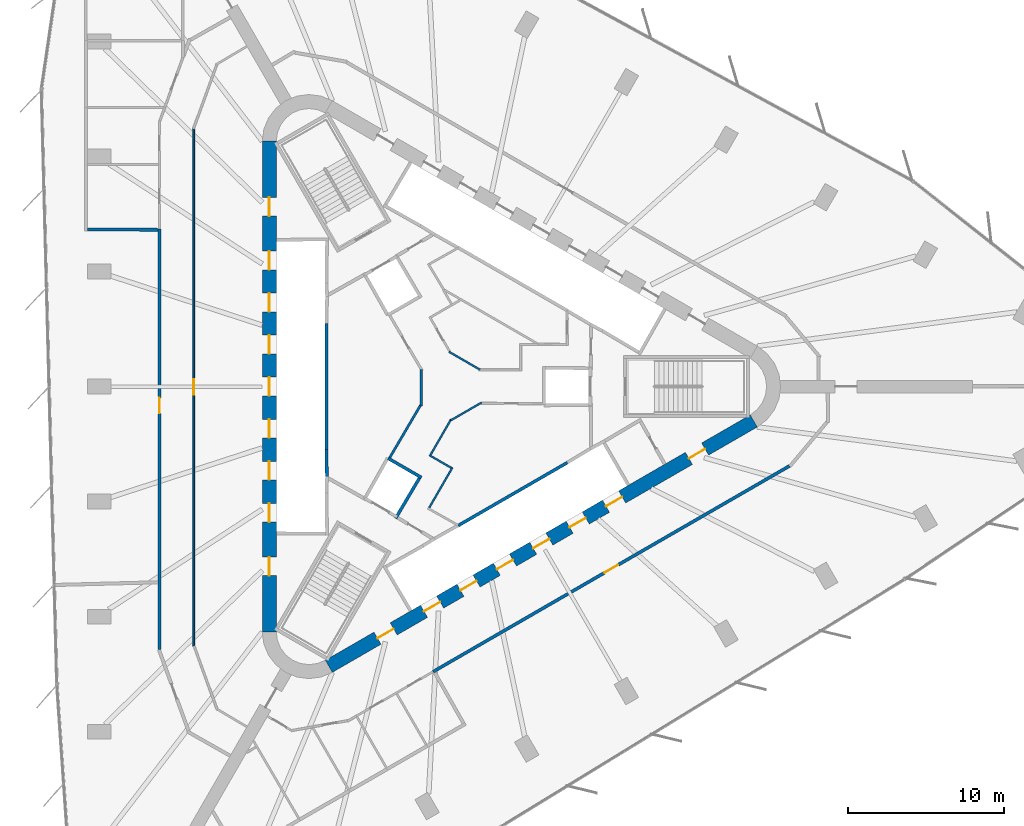
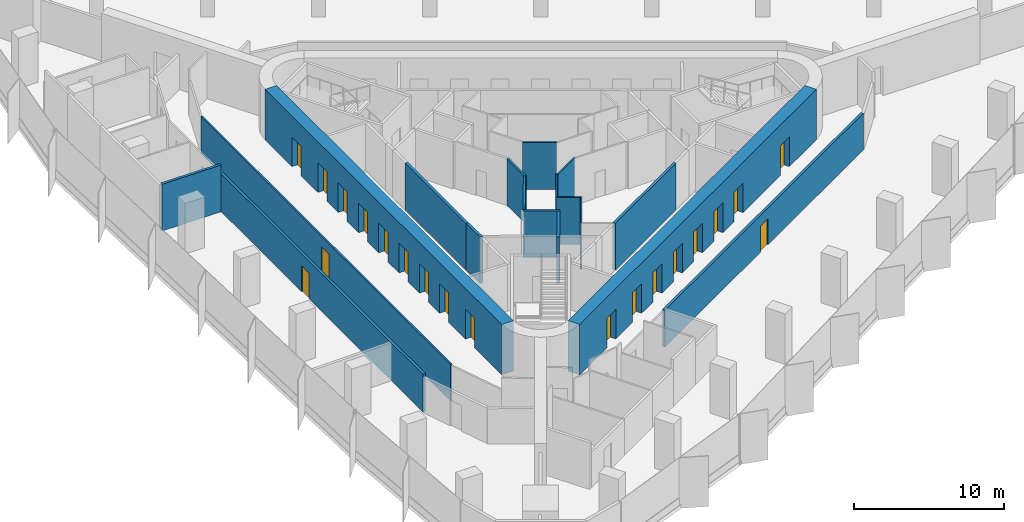
# One storey, part 9 of 14: 20 doors, 18 walls, 20 openings.
"""IFC4 building model written with IfcOpenShell, lengths in metres."""

import ifcopenshell
import ifcopenshell.guid

model = None  # the IFC model being written
_history = None  # IfcOwnerHistory: only IFC2X3 demands one
_inside = {}  # id of a spatial element -> (the spatial element, [elements in it])
_under = {}  # id of a project, library or spatial element -> (it, [spatial elements below it])
_declared = {}  # id of a project -> (the project, [libraries it declares])
_typed = {}  # id of a type object -> (the type object, [elements of that type])
_made_of = {}  # id of a material, layer set ... -> (it, [elements and type objects made of it])


def new_model(schema):
    """Start an empty IFC model of exactly this schema.

    Asked for "IFC4X3", IfcOpenShell would pick the latest addendum, in which some entities
    have other attributes; the version numbers below select the first issue.
    IFC2X3 requires an IfcOwnerHistory on every rooted entity: one is made here for all.
    """
    global model, _history
    if schema == "IFC4X3":
        model = ifcopenshell.file(schema_version=(4, 3, 0, 0))
    else:
        model = ifcopenshell.file(schema=schema)
    _inside.clear()
    _under.clear()
    _declared.clear()
    _typed.clear()
    _made_of.clear()
    _history = None
    if model.schema == "IFC2X3":
        org = make("IfcOrganization", Name="unknown")
        user = make(
            "IfcPersonAndOrganization",
            ThePerson=make("IfcPerson", FamilyName="unknown"),
            TheOrganization=org,
        )
        app = make(
            "IfcApplication",
            ApplicationDeveloper=org,
            Version="unknown",
            ApplicationFullName="unknown",
            ApplicationIdentifier="unknown",
        )
        _history = make(
            "IfcOwnerHistory",
            OwningUser=user,
            OwningApplication=app,
            ChangeAction="ADDED",
            CreationDate=0,
        )
    return model


def make(cls, **values):
    """One entity of the class cls with the attributes given. An attribute that is None is left unset."""
    return model.create_entity(
        cls, **{name: value for name, value in values.items() if value is not None}
    )


def rooted(cls, **values):
    """An entity with a GlobalId (a new one), such as an element, a storey or a relation."""
    return make(cls, GlobalId=ifcopenshell.guid.new(), OwnerHistory=_history, **values)


def si_unit(unit_type, name, prefix=None):
    """IfcSIUnit, for example si_unit("LENGTHUNIT", "METRE", prefix="MILLI")."""
    return make("IfcSIUnit", UnitType=unit_type, Prefix=prefix, Name=name)


def assignment(units):
    """IfcUnitAssignment: the units of a project."""
    return None if units is None else make("IfcUnitAssignment", Units=units)


def point(xyz):
    """IfcCartesianPoint."""
    return None if xyz is None else make("IfcCartesianPoint", Coordinates=xyz)


def direction(xyz):
    """IfcDirection."""
    return None if xyz is None else make("IfcDirection", DirectionRatios=xyz)


def frame(location, z_axis=None, x_axis=None):
    """IfcAxis2Placement3D, a coordinate frame: its origin and axes. An axis left out is left unset."""
    return make(
        "IfcAxis2Placement3D",
        Location=point(location),
        Axis=direction(z_axis),
        RefDirection=direction(x_axis),
    )


def frame_2d(location, x_axis=None):
    """IfcAxis2Placement2D, a coordinate frame in the plane: its origin and x axis."""
    return make(
        "IfcAxis2Placement2D", Location=point(location), RefDirection=direction(x_axis)
    )


def origin():
    """The frame at (0, 0, 0) with its axes left unset."""
    return frame((0.0, 0.0, 0.0))


def place(relative_to, where):
    """IfcLocalPlacement: puts the frame where relative to a parent placement (None: the world)."""
    return make(
        "IfcLocalPlacement", PlacementRelTo=relative_to, RelativePlacement=where
    )


def context(
    kind, dimensions, precision=None, world=None, true_north=None, identifier=None
):
    """IfcGeometricRepresentationContext, for example the 3D "Model" context."""
    return make(
        "IfcGeometricRepresentationContext",
        ContextIdentifier=identifier,
        ContextType=kind,
        CoordinateSpaceDimension=dimensions,
        Precision=precision,
        WorldCoordinateSystem=world,
        TrueNorth=true_north,
    )


def subcontext(parent, identifier, kind, view, scale=None):
    """IfcGeometricRepresentationSubContext, for example "Body" below "Model"."""
    return make(
        "IfcGeometricRepresentationSubContext",
        ContextIdentifier=identifier,
        ContextType=kind,
        ParentContext=parent,
        TargetScale=scale,
        TargetView=view,
    )


def project(units=None, contexts=None):
    """IfcProject with its units and contexts."""
    return rooted(
        "IfcProject",
        Name="project",
        RepresentationContexts=contexts,
        UnitsInContext=assignment(units),
    )


def spatial(cls, under=None, at=None, **own):
    """A site, building, storey or space (cls), placed at a placement, below another one or the project."""
    s = rooted(cls, ObjectPlacement=at, **own)
    if under is not None:
        _under.setdefault(under.id(), (under, []))[1].append(s)
    return s


def profile(cls, at=None, kind="AREA", **sizes):
    """A parametric profile (cls). Its sizes go by their IFC names, for example OverallWidth=200.0."""
    return make(cls, ProfileType=kind, Position=at, **sizes)


def rectangle(**sizes):
    """IfcRectangleProfileDef."""
    return profile("IfcRectangleProfileDef", **sizes)


def extrude(swept, where, along, depth):
    """IfcExtrudedAreaSolid: the profile swept, set in the frame where, extruded along a direction by depth."""
    return make(
        "IfcExtrudedAreaSolid",
        SweptArea=swept,
        Position=where,
        ExtrudedDirection=direction(along),
        Depth=depth,
    )


def shape(context_of_items, identifier, shape_type, items):
    """IfcShapeRepresentation: the items that make up one representation, for example the "Body"."""
    return make(
        "IfcShapeRepresentation",
        ContextOfItems=context_of_items,
        RepresentationIdentifier=identifier,
        RepresentationType=shape_type,
        Items=items,
    )


def material(Name=None, Category=None):
    """IfcMaterial."""
    return make("IfcMaterial", Name=Name, Category=Category)


def layer(
    of_material, thickness, ventilated=None, Name=None, Category=None, Priority=None
):
    """IfcMaterialLayer: one layer of a wall or slab, of a material (None: an air gap)."""
    return make(
        "IfcMaterialLayer",
        Material=of_material,
        LayerThickness=thickness,
        IsVentilated=ventilated,
        Name=Name,
        Category=Category,
        Priority=Priority,
    )


def layer_set(layers, Name=None):
    """IfcMaterialLayerSet."""
    return make("IfcMaterialLayerSet", MaterialLayers=layers, LayerSetName=Name)


def made_of(thing, what):
    """Note that an element or type object is made of a material, layer set ...; save() writes the relation."""
    if what is not None:
        _made_of.setdefault(what.id(), (what, []))[1].append(thing)
    return thing


def type_object(cls, material=None, **own):
    """A type object (cls), such as IfcWallType, which elements share."""
    return made_of(rooted(cls, **own), material)


def element(
    cls,
    number,
    at=None,
    inside=None,
    cuts=None,
    type_object=None,
    material=None,
    context=None,
    identifier="Body",
    shape_type=None,
    held_by="IfcProductDefinitionShape",
    body=None,
    shapes=None,
    **own,
):
    """One element of the class cls, such as IfcWall. Its Tag is "e" and its number.

    at: its placement. inside: the storey or other place that contains it. cuts: it is an
    opening in that element (IfcRelVoidsElement). A single representation is given by context,
    identifier, shape_type and body (its items); several are given by shapes. held_by: the class
    of the entity that holds the representations. save() writes the other relations.
    """
    e = rooted(cls, Tag="e%d" % number, ObjectPlacement=at, **own)
    if body is not None:
        shapes = [shape(context, identifier, shape_type, body)]
    if shapes is not None:
        e.Representation = make(held_by, Representations=shapes)
    if inside is not None:
        _inside.setdefault(inside.id(), (inside, []))[1].append(e)
    if cuts is not None:
        rooted(
            "IfcRelVoidsElement", RelatingBuildingElement=cuts, RelatedOpeningElement=e
        )
    if type_object is not None:
        _typed.setdefault(type_object.id(), (type_object, []))[1].append(e)
    return made_of(e, material)


def fill(opening, filler):
    """IfcRelFillsElement: the door or window that sits in an opening."""
    return rooted(
        "IfcRelFillsElement",
        RelatingOpeningElement=opening,
        RelatedBuildingElement=filler,
    )


def aggregate(whole, parts):
    """IfcRelAggregates: a whole, such as a stair, and the parts it consists of."""
    return rooted("IfcRelAggregates", RelatingObject=whole, RelatedObjects=parts)


def save(model, path):
    """Write the relations noted so far, then the file.

    IfcRelAggregates (storeys below a building ...), IfcRelContainedInSpatialStructure (elements
    in a storey), IfcRelDefinesByType, IfcRelAssociatesMaterial and IfcRelDeclares: one each for
    every whole, place, type object, material and project.
    """
    for whole, parts in _under.values():
        aggregate(whole, parts)
    for where, things in _inside.values():
        rooted(
            "IfcRelContainedInSpatialStructure",
            RelatedElements=things,
            RelatingStructure=where,
        )
    for kind, things in _typed.values():
        rooted("IfcRelDefinesByType", RelatedObjects=things, RelatingType=kind)
    for what, things in _made_of.values():
        rooted("IfcRelAssociatesMaterial", RelatedObjects=things, RelatingMaterial=what)
    for by, libraries in _declared.values():
        rooted("IfcRelDeclares", RelatingContext=by, RelatedDefinitions=libraries)
    model.write(path)


model = new_model("IFC4")

# Units and contexts
model_context = context("Model", 3, precision=1e-05, world=origin(), true_north=direction((0.0, 1.0)))
body_context = subcontext(model_context, "Body", "Model", "MODEL_VIEW")
ifc_project = project(units=[si_unit("LENGTHUNIT", "METRE"), si_unit("AREAUNIT", "SQUARE_METRE"), si_unit("VOLUMEUNIT", "CUBIC_METRE"), si_unit("PLANEANGLEUNIT", "RADIAN"), si_unit("MASSUNIT", "GRAM", prefix="KILO")], contexts=[model_context])

# Site, building, storey
site_placement = place(None, origin())
site = spatial("IfcSite", under=ifc_project, at=site_placement, CompositionType="ELEMENT")
building_placement = place(site_placement, origin())
building = spatial("IfcBuilding", under=site, at=building_placement, Name="Tanit Gate Tower", CompositionType="ELEMENT")
storey_placement = place(building_placement, frame((0.0, 0.0, 143.89990234375)))
storey = spatial("IfcBuildingStorey", under=building, at=storey_placement, Name="L31", CompositionType="ELEMENT", Elevation=143.89990234375)

# Wall, openings, doors
ifc_material_1 = material(Name="Concrete C60/75", Category="concrete")
ifc_layer_1 = layer(ifc_material_1, 0.89990234375)
ifc_layer_set_1 = layer_set([ifc_layer_1], Name="CORE WALL 900 C60/75")
wall_type_1 = type_object("IfcWallType", Name="CORE WALL 900 C60/75", PredefinedType="SHEAR", material=ifc_layer_set_1)
wall_1_placement = place(storey_placement, frame((-11.64990234375, 15.76171875, 0.0), z_axis=(0.0, 0.0, 1.0), x_axis=(0.0, -1.0, 0.0)))
wall_1 = element("IfcWall", 1, at=wall_1_placement, inside=storey, type_object=wall_type_1, Name="CORE WALL", PredefinedType="SHEAR", context=body_context, shape_type="SweptSolid", body=[
    extrude(rectangle(XDim=31.5234375, YDim=0.89990234375, at=frame_2d((15.76171875, 0.0))), origin(), (0.0, 0.0, 1.0), 4.10009765625),
])
opening_1_placement = place(wall_1_placement, frame((7.061767578125, 0.0, 0.0)))
opening_1 = element("IfcOpeningElement", 2, at=opening_1_placement, cuts=wall_1, Name="Opening LDLL1-S08", PredefinedType="OPENING", context=body_context, shape_type="SweptSolid", body=[
    extrude(rectangle(XDim=1.199951171875, YDim=2.39990234375, at=frame_2d((0.60009765625, 1.199951171875))), frame((0.0, 0.4599609375, 0.0), z_axis=(0.0, -1.0, 0.0), x_axis=(1.0, 0.0, 0.0)), (0.0, 0.0, 1.0), 0.919921875),
])
opening_2_placement = place(wall_1_placement, frame((9.76171875, 0.0, 0.0)))
opening_2 = element("IfcOpeningElement", 3, at=opening_2_placement, cuts=wall_1, Name="Opening LDLL2-S08", PredefinedType="OPENING", context=body_context, shape_type="SweptSolid", body=[
    extrude(rectangle(XDim=1.199951171875, YDim=2.39990234375, at=frame_2d((0.60009765625, 1.199951171875))), frame((0.0, 0.4599609375, 0.0), z_axis=(0.0, -1.0, 0.0), x_axis=(1.0, 0.0, 0.0)), (0.0, 0.0, 1.0), 0.919921875),
])
opening_3_placement = place(wall_1_placement, frame((12.461669921875, 0.0, 0.0)))
opening_3 = element("IfcOpeningElement", 4, at=opening_3_placement, cuts=wall_1, Name="Opening LDLL3-S08", PredefinedType="OPENING", context=body_context, shape_type="SweptSolid", body=[
    extrude(rectangle(XDim=1.199951171875, YDim=2.39990234375, at=frame_2d((0.60009765625, 1.199951171875))), frame((0.0, 0.4599609375, 0.0), z_axis=(0.0, -1.0, 0.0), x_axis=(1.0, 0.0, 0.0)), (0.0, 0.0, 1.0), 0.919921875),
])
opening_4_placement = place(wall_1_placement, frame((15.16162109375, 0.0, 0.0)))
opening_4 = element("IfcOpeningElement", 5, at=opening_4_placement, cuts=wall_1, Name="Opening LDLL4-S08", PredefinedType="OPENING", context=body_context, shape_type="SweptSolid", body=[
    extrude(rectangle(XDim=1.199951171875, YDim=2.39990234375, at=frame_2d((0.60009765625, 1.199951171875))), frame((0.0, 0.4599609375, 0.0), z_axis=(0.0, -1.0, 0.0), x_axis=(1.0, 0.0, 0.0)), (0.0, 0.0, 1.0), 0.919921875),
])
opening_5_placement = place(wall_1_placement, frame((17.86181640625, 0.0, 0.0)))
opening_5 = element("IfcOpeningElement", 6, at=opening_5_placement, cuts=wall_1, Name="Opening LDLL5-S08", PredefinedType="OPENING", context=body_context, shape_type="SweptSolid", body=[
    extrude(rectangle(XDim=1.199951171875, YDim=2.39990234375, at=frame_2d((0.60009765625, 1.199951171875))), frame((0.0, 0.4599609375, 0.0), z_axis=(0.0, -1.0, 0.0), x_axis=(1.0, 0.0, 0.0)), (0.0, 0.0, 1.0), 0.919921875),
])
opening_6_placement = place(wall_1_placement, frame((20.561767578125, 0.0, 0.0)))
opening_6 = element("IfcOpeningElement", 7, at=opening_6_placement, cuts=wall_1, Name="Opening LDLL6-S08", PredefinedType="OPENING", context=body_context, shape_type="SweptSolid", body=[
    extrude(rectangle(XDim=1.199951171875, YDim=2.39990234375, at=frame_2d((0.60009765625, 1.199951171875))), frame((0.0, 0.4599609375, 0.0), z_axis=(0.0, -1.0, 0.0), x_axis=(1.0, 0.0, 0.0)), (0.0, 0.0, 1.0), 0.919921875),
])
opening_7_placement = place(wall_1_placement, frame((23.26171875, 0.0, 0.0)))
opening_7 = element("IfcOpeningElement", 8, at=opening_7_placement, cuts=wall_1, Name="Opening LDLL7-S08", PredefinedType="OPENING", context=body_context, shape_type="SweptSolid", body=[
    extrude(rectangle(XDim=1.199951171875, YDim=2.39990234375, at=frame_2d((0.60009765625, 1.199951171875))), frame((0.0, 0.4599609375, 0.0), z_axis=(0.0, -1.0, 0.0), x_axis=(1.0, 0.0, 0.0)), (0.0, 0.0, 1.0), 0.919921875),
])
opening_8_placement = place(wall_1_placement, frame((3.61181640625, 0.0, 0.0)))
opening_8 = element("IfcOpeningElement", 9, at=opening_8_placement, cuts=wall_1, Name="Opening F12-S08-FL2", PredefinedType="OPENING", context=body_context, shape_type="SweptSolid", body=[
    extrude(rectangle(XDim=1.199951171875, YDim=2.39990234375, at=frame_2d((0.60009765625, 1.199951171875))), frame((0.0, 0.4599609375, 0.0), z_axis=(0.0, -1.0, 0.0), x_axis=(1.0, 0.0, 0.0)), (0.0, 0.0, 1.0), 0.919921875),
])
opening_9_placement = place(wall_1_placement, frame((26.711669921875, 0.0, 0.0)))
opening_9 = element("IfcOpeningElement", 10, at=opening_9_placement, cuts=wall_1, Name="Opening F12-S08-S3", PredefinedType="OPENING", context=body_context, shape_type="SweptSolid", body=[
    extrude(rectangle(XDim=1.199951171875, YDim=2.39990234375, at=frame_2d((0.60009765625, 1.199951171875))), frame((0.0, 0.4599609375, 0.0), z_axis=(0.0, -1.0, 0.0), x_axis=(1.0, 0.0, 0.0)), (0.0, 0.0, 1.0), 0.919921875),
])
ifc_material_2 = material(Name="Fire-rated steel door leaf", Category="steel")
door_type_1 = type_object("IfcDoorType", Name="INT-DOOR-FIRE-LOBBY-1200", OperationType="NOTDEFINED", PredefinedType="USERDEFINED", material=ifc_material_2)
door_1_placement = place(opening_8_placement, origin())
door_1 = element("IfcDoor", 11, at=door_1_placement, inside=storey, type_object=door_type_1, Name="Door F12-S08-FL2", ObjectType="FIRE DOOR", OperationType="SINGLE_SWING_LEFT", OverallHeight=2.39990234375, OverallWidth=1.199951171875, PredefinedType="USERDEFINED", context=body_context, shape_type="SweptSolid", body=[
    extrude(rectangle(XDim=1.199951171875, YDim=2.39990234375, at=frame_2d((0.60009765625, 1.199951171875))), frame((0.0, 0.02490234375, 0.0), z_axis=(0.0, -1.0, 0.0), x_axis=(1.0, 0.0, 0.0)), (0.0, 0.0, 1.0), 0.050048828125),
])
fill(opening_8, door_1)
door_2_placement = place(opening_9_placement, origin())
door_2 = element("IfcDoor", 12, at=door_2_placement, inside=storey, type_object=door_type_1, Name="Door F12-S08-S3", ObjectType="FIRE DOOR", OperationType="SINGLE_SWING_RIGHT", OverallHeight=2.39990234375, OverallWidth=1.199951171875, PredefinedType="USERDEFINED", context=body_context, shape_type="SweptSolid", body=[
    extrude(rectangle(XDim=1.199951171875, YDim=2.39990234375, at=frame_2d((0.60009765625, 1.199951171875))), frame((0.0, 0.02490234375, 0.0), z_axis=(0.0, -1.0, 0.0), x_axis=(1.0, 0.0, 0.0)), (0.0, 0.0, 1.0), 0.050048828125),
])
fill(opening_9, door_2)
ifc_material_3 = material(Name="Stainless steel sliding door leaf", Category="steel")
door_type_2 = type_object("IfcDoorType", Name="INT-DOOR-LANDING-1200", OperationType="NOTDEFINED", PredefinedType="USERDEFINED", material=ifc_material_3)
door_3_placement = place(opening_1_placement, origin())
door_3 = element("IfcDoor", 13, at=door_3_placement, inside=storey, type_object=door_type_2, Name="Door LDLL1-S08", ObjectType="LANDING DOOR", OperationType="SLIDING_TO_LEFT", OverallHeight=2.39990234375, OverallWidth=1.199951171875, PredefinedType="USERDEFINED", context=body_context, shape_type="SweptSolid", body=[
    extrude(rectangle(XDim=1.199951171875, YDim=2.39990234375, at=frame_2d((0.60009765625, 1.199951171875))), frame((0.0, 0.02490234375, 0.0), z_axis=(0.0, -1.0, 0.0), x_axis=(1.0, 0.0, 0.0)), (0.0, 0.0, 1.0), 0.050048828125),
])
fill(opening_1, door_3)
door_4_placement = place(opening_2_placement, origin())
door_4 = element("IfcDoor", 14, at=door_4_placement, inside=storey, type_object=door_type_2, Name="Door LDLL2-S08", ObjectType="LANDING DOOR", OperationType="SLIDING_TO_LEFT", OverallHeight=2.39990234375, OverallWidth=1.199951171875, PredefinedType="USERDEFINED", context=body_context, shape_type="SweptSolid", body=[
    extrude(rectangle(XDim=1.199951171875, YDim=2.39990234375, at=frame_2d((0.60009765625, 1.199951171875))), frame((0.0, 0.02490234375, 0.0), z_axis=(0.0, -1.0, 0.0), x_axis=(1.0, 0.0, 0.0)), (0.0, 0.0, 1.0), 0.050048828125),
])
fill(opening_2, door_4)
door_5_placement = place(opening_3_placement, origin())
door_5 = element("IfcDoor", 15, at=door_5_placement, inside=storey, type_object=door_type_2, Name="Door LDLL3-S08", ObjectType="LANDING DOOR", OperationType="SLIDING_TO_LEFT", OverallHeight=2.39990234375, OverallWidth=1.199951171875, PredefinedType="USERDEFINED", context=body_context, shape_type="SweptSolid", body=[
    extrude(rectangle(XDim=1.199951171875, YDim=2.39990234375, at=frame_2d((0.60009765625, 1.199951171875))), frame((0.0, 0.02490234375, 0.0), z_axis=(0.0, -1.0, 0.0), x_axis=(1.0, 0.0, 0.0)), (0.0, 0.0, 1.0), 0.050048828125),
])
fill(opening_3, door_5)
door_6_placement = place(opening_4_placement, origin())
door_6 = element("IfcDoor", 16, at=door_6_placement, inside=storey, type_object=door_type_2, Name="Door LDLL4-S08", ObjectType="LANDING DOOR", OperationType="SLIDING_TO_LEFT", OverallHeight=2.39990234375, OverallWidth=1.199951171875, PredefinedType="USERDEFINED", context=body_context, shape_type="SweptSolid", body=[
    extrude(rectangle(XDim=1.199951171875, YDim=2.39990234375, at=frame_2d((0.60009765625, 1.199951171875))), frame((0.0, 0.02490234375, 0.0), z_axis=(0.0, -1.0, 0.0), x_axis=(1.0, 0.0, 0.0)), (0.0, 0.0, 1.0), 0.050048828125),
])
fill(opening_4, door_6)
door_7_placement = place(opening_5_placement, origin())
door_7 = element("IfcDoor", 17, at=door_7_placement, inside=storey, type_object=door_type_2, Name="Door LDLL5-S08", ObjectType="LANDING DOOR", OperationType="SLIDING_TO_LEFT", OverallHeight=2.39990234375, OverallWidth=1.199951171875, PredefinedType="USERDEFINED", context=body_context, shape_type="SweptSolid", body=[
    extrude(rectangle(XDim=1.199951171875, YDim=2.39990234375, at=frame_2d((0.60009765625, 1.199951171875))), frame((0.0, 0.02490234375, 0.0), z_axis=(0.0, -1.0, 0.0), x_axis=(1.0, 0.0, 0.0)), (0.0, 0.0, 1.0), 0.050048828125),
])
fill(opening_5, door_7)
door_8_placement = place(opening_6_placement, origin())
door_8 = element("IfcDoor", 18, at=door_8_placement, inside=storey, type_object=door_type_2, Name="Door LDLL6-S08", ObjectType="LANDING DOOR", OperationType="SLIDING_TO_LEFT", OverallHeight=2.39990234375, OverallWidth=1.199951171875, PredefinedType="USERDEFINED", context=body_context, shape_type="SweptSolid", body=[
    extrude(rectangle(XDim=1.199951171875, YDim=2.39990234375, at=frame_2d((0.60009765625, 1.199951171875))), frame((0.0, 0.02490234375, 0.0), z_axis=(0.0, -1.0, 0.0), x_axis=(1.0, 0.0, 0.0)), (0.0, 0.0, 1.0), 0.050048828125),
])
fill(opening_6, door_8)
door_9_placement = place(opening_7_placement, origin())
door_9 = element("IfcDoor", 19, at=door_9_placement, inside=storey, type_object=door_type_2, Name="Door LDLL7-S08", ObjectType="LANDING DOOR", OperationType="SLIDING_TO_LEFT", OverallHeight=2.39990234375, OverallWidth=1.199951171875, PredefinedType="USERDEFINED", context=body_context, shape_type="SweptSolid", body=[
    extrude(rectangle(XDim=1.199951171875, YDim=2.39990234375, at=frame_2d((0.60009765625, 1.199951171875))), frame((0.0, 0.02490234375, 0.0), z_axis=(0.0, -1.0, 0.0), x_axis=(1.0, 0.0, 0.0)), (0.0, 0.0, 1.0), 0.050048828125),
])
fill(opening_7, door_9)

wall_2_placement = place(storey_placement, frame((-7.824951171875, -17.969970703125, 0.0), z_axis=(0.0, 0.0, 1.0), x_axis=(0.866028369851, 0.499994862586, 0.0)))
wall_2 = element("IfcWall", 20, at=wall_2_placement, inside=storey, type_object=wall_type_1, Name="CORE WALL", PredefinedType="SHEAR", context=body_context, shape_type="SweptSolid", body=[
    extrude(rectangle(XDim=31.523193359375, YDim=0.89990234375, at=frame_2d((15.76171875, 0.0))), origin(), (0.0, 0.0, 1.0), 4.10009765625),
])
opening_10_placement = place(wall_2_placement, frame((7.061767578125, 0.0, 0.0)))
opening_10 = element("IfcOpeningElement", 21, at=opening_10_placement, cuts=wall_2, Name="Opening LDSX1-S08", PredefinedType="OPENING", context=body_context, shape_type="SweptSolid", body=[
    extrude(rectangle(XDim=1.199951171875, YDim=2.39990234375, at=frame_2d((0.60009765625, 1.199951171875))), frame((0.0, 0.4599609375, 0.0), z_axis=(0.0, -1.0, 0.0), x_axis=(1.0, 0.0, 0.0)), (0.0, 0.0, 1.0), 0.919921875),
])
opening_11_placement = place(wall_2_placement, frame((9.76171875, 0.0, 0.0)))
opening_11 = element("IfcOpeningElement", 22, at=opening_11_placement, cuts=wall_2, Name="Opening LDSX2-S08", PredefinedType="OPENING", context=body_context, shape_type="SweptSolid", body=[
    extrude(rectangle(XDim=1.199951171875, YDim=2.39990234375, at=frame_2d((0.60009765625, 1.199951171875))), frame((0.0, 0.4599609375, 0.0), z_axis=(0.0, -1.0, 0.0), x_axis=(1.0, 0.0, 0.0)), (0.0, 0.0, 1.0), 0.919921875),
])
opening_12_placement = place(wall_2_placement, frame((12.461669921875, 0.0, 0.0)))
opening_12 = element("IfcOpeningElement", 23, at=opening_12_placement, cuts=wall_2, Name="Opening LDSX3-S08", PredefinedType="OPENING", context=body_context, shape_type="SweptSolid", body=[
    extrude(rectangle(XDim=1.199951171875, YDim=2.39990234375, at=frame_2d((0.60009765625, 1.199951171875))), frame((0.0, 0.4599609375, 0.0), z_axis=(0.0, -1.0, 0.0), x_axis=(1.0, 0.0, 0.0)), (0.0, 0.0, 1.0), 0.919921875),
])
opening_13_placement = place(wall_2_placement, frame((15.16162109375, 0.0, 0.0)))
opening_13 = element("IfcOpeningElement", 24, at=opening_13_placement, cuts=wall_2, Name="Opening LDSX4-S08", PredefinedType="OPENING", context=body_context, shape_type="SweptSolid", body=[
    extrude(rectangle(XDim=1.199951171875, YDim=2.39990234375, at=frame_2d((0.60009765625, 1.199951171875))), frame((0.0, 0.4599609375, 0.0), z_axis=(0.0, -1.0, 0.0), x_axis=(1.0, 0.0, 0.0)), (0.0, 0.0, 1.0), 0.919921875),
])
opening_14_placement = place(wall_2_placement, frame((17.861572265625, 0.0, 0.0)))
opening_14 = element("IfcOpeningElement", 25, at=opening_14_placement, cuts=wall_2, Name="Opening LDSV1-S08", PredefinedType="OPENING", context=body_context, shape_type="SweptSolid", body=[
    extrude(rectangle(XDim=1.199951171875, YDim=2.39990234375, at=frame_2d((0.60009765625, 1.199951171875))), frame((0.0, 0.4599609375, 0.0), z_axis=(0.0, -1.0, 0.0), x_axis=(1.0, 0.0, 0.0)), (0.0, 0.0, 1.0), 0.919921875),
])
opening_15_placement = place(wall_2_placement, frame((20.561767578125, 0.0, 0.0)))
opening_15 = element("IfcOpeningElement", 26, at=opening_15_placement, cuts=wall_2, Name="Opening LDSV2-S08", PredefinedType="OPENING", context=body_context, shape_type="SweptSolid", body=[
    extrude(rectangle(XDim=1.199951171875, YDim=2.39990234375, at=frame_2d((0.60009765625, 1.199951171875))), frame((0.0, 0.4599609375, 0.0), z_axis=(0.0, -1.0, 0.0), x_axis=(1.0, 0.0, 0.0)), (0.0, 0.0, 1.0), 0.919921875),
])
opening_16_placement = place(wall_2_placement, frame((26.711669921875, 0.0, 0.0)))
opening_16 = element("IfcOpeningElement", 27, at=opening_16_placement, cuts=wall_2, Name="Opening F12-S08-S1", PredefinedType="OPENING", context=body_context, shape_type="SweptSolid", body=[
    extrude(rectangle(XDim=1.199951171875, YDim=2.39990234375, at=frame_2d((0.60009765625, 1.199951171875))), frame((0.0, 0.4599609375, 0.0), z_axis=(0.0, -1.0, 0.0), x_axis=(1.0, 0.0, 0.0)), (0.0, 0.0, 1.0), 0.919921875),
])
opening_17_placement = place(wall_2_placement, frame((3.611572265625, 0.0, 0.0)))
opening_17 = element("IfcOpeningElement", 28, at=opening_17_placement, cuts=wall_2, Name="Opening F12-S08-FL3", PredefinedType="OPENING", context=body_context, shape_type="SweptSolid", body=[
    extrude(rectangle(XDim=1.199951171875, YDim=2.39990234375, at=frame_2d((0.60009765625, 1.199951171875))), frame((0.0, 0.4599609375, 0.0), z_axis=(0.0, -1.0, 0.0), x_axis=(1.0, 0.0, 0.0)), (0.0, 0.0, 1.0), 0.919921875),
])
door_10_placement = place(opening_16_placement, origin())
door_10 = element("IfcDoor", 29, at=door_10_placement, inside=storey, type_object=door_type_1, Name="Door F12-S08-S1", ObjectType="FIRE DOOR", OperationType="SINGLE_SWING_RIGHT", OverallHeight=2.39990234375, OverallWidth=1.199951171875, PredefinedType="USERDEFINED", context=body_context, shape_type="SweptSolid", body=[
    extrude(rectangle(XDim=1.199951171875, YDim=2.39990234375, at=frame_2d((0.60009765625, 1.199951171875))), frame((0.0, 0.02490234375, 0.0), z_axis=(0.0, -1.0, 0.0), x_axis=(1.0, 0.0, 0.0)), (0.0, 0.0, 1.0), 0.050048828125),
])
fill(opening_16, door_10)
door_11_placement = place(opening_17_placement, origin())
door_11 = element("IfcDoor", 30, at=door_11_placement, inside=storey, type_object=door_type_1, Name="Door F12-S08-FL3", ObjectType="FIRE DOOR", OperationType="SINGLE_SWING_RIGHT", OverallHeight=2.39990234375, OverallWidth=1.199951171875, PredefinedType="USERDEFINED", context=body_context, shape_type="SweptSolid", body=[
    extrude(rectangle(XDim=1.199951171875, YDim=2.39990234375, at=frame_2d((0.60009765625, 1.199951171875))), frame((0.0, 0.02490234375, 0.0), z_axis=(0.0, -1.0, 0.0), x_axis=(1.0, 0.0, 0.0)), (0.0, 0.0, 1.0), 0.050048828125),
])
fill(opening_17, door_11)
door_12_placement = place(opening_10_placement, origin())
door_12 = element("IfcDoor", 31, at=door_12_placement, inside=storey, type_object=door_type_2, Name="Door LDSX1-S08", ObjectType="LANDING DOOR", OperationType="SLIDING_TO_LEFT", OverallHeight=2.39990234375, OverallWidth=1.199951171875, PredefinedType="USERDEFINED", context=body_context, shape_type="SweptSolid", body=[
    extrude(rectangle(XDim=1.199951171875, YDim=2.39990234375, at=frame_2d((0.60009765625, 1.199951171875))), frame((0.0, 0.02490234375, 0.0), z_axis=(0.0, -1.0, 0.0), x_axis=(1.0, 0.0, 0.0)), (0.0, 0.0, 1.0), 0.050048828125),
])
fill(opening_10, door_12)
door_13_placement = place(opening_11_placement, origin())
door_13 = element("IfcDoor", 32, at=door_13_placement, inside=storey, type_object=door_type_2, Name="Door LDSX2-S08", ObjectType="LANDING DOOR", OperationType="SLIDING_TO_LEFT", OverallHeight=2.39990234375, OverallWidth=1.199951171875, PredefinedType="USERDEFINED", context=body_context, shape_type="SweptSolid", body=[
    extrude(rectangle(XDim=1.199951171875, YDim=2.39990234375, at=frame_2d((0.60009765625, 1.199951171875))), frame((0.0, 0.02490234375, 0.0), z_axis=(0.0, -1.0, 0.0), x_axis=(1.0, 0.0, 0.0)), (0.0, 0.0, 1.0), 0.050048828125),
])
fill(opening_11, door_13)
door_14_placement = place(opening_12_placement, origin())
door_14 = element("IfcDoor", 33, at=door_14_placement, inside=storey, type_object=door_type_2, Name="Door LDSX3-S08", ObjectType="LANDING DOOR", OperationType="SLIDING_TO_LEFT", OverallHeight=2.39990234375, OverallWidth=1.199951171875, PredefinedType="USERDEFINED", context=body_context, shape_type="SweptSolid", body=[
    extrude(rectangle(XDim=1.199951171875, YDim=2.39990234375, at=frame_2d((0.60009765625, 1.199951171875))), frame((0.0, 0.02490234375, 0.0), z_axis=(0.0, -1.0, 0.0), x_axis=(1.0, 0.0, 0.0)), (0.0, 0.0, 1.0), 0.050048828125),
])
fill(opening_12, door_14)
door_15_placement = place(opening_13_placement, origin())
door_15 = element("IfcDoor", 34, at=door_15_placement, inside=storey, type_object=door_type_2, Name="Door LDSX4-S08", ObjectType="LANDING DOOR", OperationType="SLIDING_TO_LEFT", OverallHeight=2.39990234375, OverallWidth=1.199951171875, PredefinedType="USERDEFINED", context=body_context, shape_type="SweptSolid", body=[
    extrude(rectangle(XDim=1.199951171875, YDim=2.39990234375, at=frame_2d((0.60009765625, 1.199951171875))), frame((0.0, 0.02490234375, 0.0), z_axis=(0.0, -1.0, 0.0), x_axis=(1.0, 0.0, 0.0)), (0.0, 0.0, 1.0), 0.050048828125),
])
fill(opening_13, door_15)
door_16_placement = place(opening_14_placement, origin())
door_16 = element("IfcDoor", 35, at=door_16_placement, inside=storey, type_object=door_type_2, Name="Door LDSV1-S08", ObjectType="LANDING DOOR", OperationType="SLIDING_TO_LEFT", OverallHeight=2.39990234375, OverallWidth=1.199951171875, PredefinedType="USERDEFINED", context=body_context, shape_type="SweptSolid", body=[
    extrude(rectangle(XDim=1.199951171875, YDim=2.39990234375, at=frame_2d((0.60009765625, 1.199951171875))), frame((0.0, 0.02490234375, 0.0), z_axis=(0.0, -1.0, 0.0), x_axis=(1.0, 0.0, 0.0)), (0.0, 0.0, 1.0), 0.050048828125),
])
fill(opening_14, door_16)
door_17_placement = place(opening_15_placement, origin())
door_17 = element("IfcDoor", 36, at=door_17_placement, inside=storey, type_object=door_type_2, Name="Door LDSV2-S08", ObjectType="LANDING DOOR", OperationType="SLIDING_TO_LEFT", OverallHeight=2.39990234375, OverallWidth=1.199951171875, PredefinedType="USERDEFINED", context=body_context, shape_type="SweptSolid", body=[
    extrude(rectangle(XDim=1.199951171875, YDim=2.39990234375, at=frame_2d((0.60009765625, 1.199951171875))), frame((0.0, 0.02490234375, 0.0), z_axis=(0.0, -1.0, 0.0), x_axis=(1.0, 0.0, 0.0)), (0.0, 0.0, 1.0), 0.050048828125),
])
fill(opening_15, door_17)

# Wall, opening, door
ifc_material_4 = material(Name="Fire-rated gypsum board partition")
ifc_layer_2 = layer(ifc_material_4, 0.199951171875)
ifc_layer_set_2 = layer_set([ifc_layer_2], Name="INT-WALL-COMPARTMENT")
wall_type_2 = type_object("IfcWallType", Name="INT-WALL-COMPARTMENT", PredefinedType="PARTITIONING", material=ifc_layer_set_2)
wall_3_placement = place(storey_placement, frame((-18.699951171875, 10.1298828125, 0.0), z_axis=(0.0, 0.0, 1.0), x_axis=(0.0, -1.0, 0.0)))
wall_3 = element("IfcWall", 37, at=wall_3_placement, inside=storey, type_object=wall_type_2, Name="Wall Compartment W094", PredefinedType="PARTITIONING", context=body_context, shape_type="SweptSolid", body=[
    extrude(rectangle(XDim=27.03466796875, YDim=0.199951171875, at=frame_2d((13.517333984375, 0.0))), origin(), (0.0, 0.0, 1.0), 3.080078125),
])
opening_18_placement = place(wall_3_placement, frame((10.850341796875, 0.0, 0.0)))
opening_18 = element("IfcOpeningElement", 38, at=opening_18_placement, cuts=wall_3, Name="Opening F10-S08-26", PredefinedType="OPENING", context=body_context, shape_type="SweptSolid", body=[
    extrude(rectangle(XDim=1.0, YDim=2.10009765625, at=frame_2d((0.5, 1.050048828125))), frame((0.0, 0.10986328125, 0.0), z_axis=(0.0, -1.0, 0.0), x_axis=(1.0, 0.0, 0.0)), (0.0, 0.0, 1.0), 0.219970703125),
])
ifc_material_5 = material(Name="Fire-rated steel door leaf", Category="steel")
door_type_3 = type_object("IfcDoorType", Name="INT-DOOR-FIRE-1000", OperationType="NOTDEFINED", PredefinedType="USERDEFINED", material=ifc_material_5)
door_18_placement = place(opening_18_placement, origin())
door_18 = element("IfcDoor", 39, at=door_18_placement, inside=storey, type_object=door_type_3, Name="Door F10-S08-26", ObjectType="FIRE DOOR", OperationType="SINGLE_SWING_LEFT", OverallHeight=2.10009765625, OverallWidth=1.0, PredefinedType="USERDEFINED", context=body_context, shape_type="SweptSolid", body=[
    extrude(rectangle(XDim=1.0, YDim=2.10009765625, at=frame_2d((0.5, 1.050048828125))), frame((0.0, 0.02490234375, 0.0), z_axis=(0.0, -1.0, 0.0), x_axis=(1.0, 0.0, 0.0)), (0.0, 0.0, 1.0), 0.050048828125),
])
fill(opening_18, door_18)

wall_4_placement = place(storey_placement, frame((-1.122802734375, -18.315185546875, 0.0), z_axis=(0.0, 0.0, 1.0), x_axis=(0.866026561282, 0.49999799515, 0.0)))
wall_4 = element("IfcWall", 40, at=wall_4_placement, inside=storey, type_object=wall_type_2, Name="Wall Compartment W108", PredefinedType="PARTITIONING", context=body_context, shape_type="SweptSolid", body=[
    extrude(rectangle(XDim=26.43505859375, YDim=0.199951171875, at=frame_2d((13.217529296875, 0.0))), origin(), (0.0, 0.0, 1.0), 2.97998046875),
])
opening_19_placement = place(wall_4_placement, frame((12.717529296875, 0.0, 0.0)))
opening_19 = element("IfcOpeningElement", 41, at=opening_19_placement, cuts=wall_4, Name="Opening F10-S08-28", PredefinedType="OPENING", context=body_context, shape_type="SweptSolid", body=[
    extrude(rectangle(XDim=1.0, YDim=2.10009765625, at=frame_2d((0.5, 1.050048828125))), frame((0.0, 0.10986328125, 0.0), z_axis=(0.0, -1.0, 0.0), x_axis=(1.0, 0.0, 0.0)), (0.0, 0.0, 1.0), 0.219970703125),
])
door_19_placement = place(opening_19_placement, origin())
door_19 = element("IfcDoor", 42, at=door_19_placement, inside=storey, type_object=door_type_3, Name="Door F10-S08-28", ObjectType="FIRE DOOR", OperationType="SINGLE_SWING_LEFT", OverallHeight=2.10009765625, OverallWidth=1.0, PredefinedType="USERDEFINED", context=body_context, shape_type="SweptSolid", body=[
    extrude(rectangle(XDim=1.0, YDim=2.10009765625, at=frame_2d((0.5, 1.050048828125))), frame((0.0, 0.02490234375, 0.0), z_axis=(0.0, -1.0, 0.0), x_axis=(1.0, 0.0, 0.0)), (0.0, 0.0, 1.0), 0.050048828125),
])
fill(opening_19, door_19)

# Walls
wall_5_placement = place(storey_placement, frame((-23.330078125, 10.099365234375, 0.0), z_axis=(0.0, 0.0, 1.0), x_axis=(0.999979779172, -0.006359343247, 0.0)))
element("IfcWall", 43, at=wall_5_placement, inside=storey, type_object=wall_type_2, Name="Wall Compartment W121", PredefinedType="PARTITIONING", context=body_context, shape_type="SweptSolid", body=[
    extrude(rectangle(XDim=4.530029296875, YDim=0.199951171875, at=frame_2d((2.26513671875, 0.0))), origin(), (0.0, 0.0, 1.0), 3.800048828125),
])
ifc_material_6 = material(Name="Gypsum board partition")
ifc_layer_3 = layer(ifc_material_6, 0.1201171875)
ifc_layer_set_3 = layer_set([ifc_layer_3], Name="INT-WALL-PARTITION")
wall_type_3 = type_object("IfcWallType", Name="INT-WALL-PARTITION", PredefinedType="PARTITIONING", material=ifc_layer_set_3)
wall_6_placement = place(storey_placement, frame((0.1181640625, -5.195068359375, 0.0), z_axis=(0.0, 0.0, 1.0), x_axis=(-0.499990139034, -0.866031096941, 0.0)))
element("IfcWall", 44, at=wall_6_placement, inside=storey, type_object=wall_type_3, Name="Wall Partition W069", PredefinedType="PARTITIONING", context=body_context, shape_type="SweptSolid", body=[
    extrude(rectangle(XDim=3.0, YDim=0.1201171875, at=frame_2d((1.5, 0.0))), origin(), (0.0, 0.0, 1.0), 3.800048828125),
])
wall_7_placement = place(storey_placement, frame((-1.37109375, -4.404541015625, 0.0), z_axis=(0.0, 0.0, 1.0), x_axis=(0.866053003207, -0.499952193351, 0.0)))
element("IfcWall", 45, at=wall_7_placement, inside=storey, type_object=wall_type_3, Name="Wall Partition W070", PredefinedType="PARTITIONING", context=body_context, shape_type="SweptSolid", body=[
    extrude(rectangle(XDim=1.625244140625, YDim=0.1201171875, at=frame_2d((0.8125, 0.0))), origin(), (0.0, 0.0, 1.0), 3.800048828125),
])
wall_8_placement = place(storey_placement, frame((0.0302734375, -2.097412109375, 0.0), z_axis=(0.0, 0.0, 1.0), x_axis=(-0.500000102728, -0.866025344474, 0.0)))
element("IfcWall", 46, at=wall_8_placement, inside=storey, type_object=wall_type_3, Name="Wall Partition W071", PredefinedType="PARTITIONING", context=body_context, shape_type="SweptSolid", body=[
    extrude(rectangle(XDim=2.638671875, YDim=0.1201171875, at=frame_2d((1.3193359375, 0.0))), origin(), (0.0, 0.0, 1.0), 3.800048828125),
])
wall_9_placement = place(storey_placement, frame((1.993896484375, -1.02392578125, 0.0), z_axis=(0.0, 0.0, 1.0), x_axis=(-0.866048237946, -0.499960447986, 0.0)))
element("IfcWall", 47, at=wall_9_placement, inside=storey, type_object=wall_type_3, Name="Wall Partition W072", PredefinedType="PARTITIONING", context=body_context, shape_type="SweptSolid", body=[
    extrude(rectangle(XDim=2.308837890625, YDim=0.1201171875, at=frame_2d((1.154296875, 0.0))), origin(), (0.0, 0.0, 1.0), 3.800048828125),
])
wall_10_placement = place(storey_placement, frame((-0.111572265625, 2.239501953125, 0.0), z_axis=(0.0, 0.0, 1.0), x_axis=(0.865997282035, -0.500048705136, 0.0)))
element("IfcWall", 48, at=wall_10_placement, inside=storey, type_object=wall_type_3, Name="Wall Partition W082", PredefinedType="PARTITIONING", context=body_context, shape_type="SweptSolid", body=[
    extrude(rectangle(XDim=2.310302734375, YDim=0.1201171875, at=frame_2d((1.1552734375, 0.0))), origin(), (0.0, 0.0, 1.0), 3.800048828125),
])

# Wall, opening, door
wall_11_placement = place(storey_placement, frame((-16.5, 16.556884765625, 0.0), z_axis=(0.0, 0.0, 1.0), x_axis=(0.0, -1.0, 0.0)))
wall_11 = element("IfcWall", 49, at=wall_11_placement, inside=storey, type_object=wall_type_3, Name="Wall Partition W088", PredefinedType="PARTITIONING", context=body_context, shape_type="SweptSolid", body=[
    extrude(rectangle(XDim=33.233642578125, YDim=0.1201171875, at=frame_2d((16.61669921875, 0.0))), origin(), (0.0, 0.0, 1.0), 2.97998046875),
])
opening_20_placement = place(wall_11_placement, frame((16.0869140625, 0.0, 0.0)))
opening_20 = element("IfcOpeningElement", 50, at=opening_20_placement, cuts=wall_11, Name="Opening D10-S08-15", PredefinedType="OPENING", context=body_context, shape_type="SweptSolid", body=[
    extrude(rectangle(XDim=1.0, YDim=2.10009765625, at=frame_2d((0.5, 1.050048828125))), frame((0.0, 0.070068359375, 0.0), z_axis=(0.0, -1.0, 0.0), x_axis=(1.0, 0.0, 0.0)), (0.0, 0.0, 1.0), 0.14013671875),
])
ifc_material_7 = material(Name="Timber door leaf", Category="wood")
door_type_4 = type_object("IfcDoorType", Name="INT-DOOR-SINGLE-1000", OperationType="NOTDEFINED", PredefinedType="NOTDEFINED", material=ifc_material_7)
door_20_placement = place(opening_20_placement, origin())
door_20 = element("IfcDoor", 51, at=door_20_placement, inside=storey, type_object=door_type_4, Name="Door D10-S08-15", OperationType="SINGLE_SWING_RIGHT", OverallHeight=2.10009765625, OverallWidth=1.0, PredefinedType="NOTDEFINED", context=body_context, shape_type="SweptSolid", body=[
    extrude(rectangle(XDim=1.0, YDim=2.10009765625, at=frame_2d((0.5, 1.050048828125))), frame((0.0, 0.02490234375, 0.0), z_axis=(0.0, -1.0, 0.0), x_axis=(1.0, 0.0, 0.0)), (0.0, 0.0, 1.0), 0.050048828125),
])
fill(opening_20, door_20)

# Walls
ifc_material_8 = material(Name="Fire-rated gypsum board partition")
ifc_layer_4 = layer(ifc_material_8, 0.14990234375)
ifc_layer_set_4 = layer_set([ifc_layer_4], Name="INT-WALL-RISER")
wall_type_4 = type_object("IfcWallType", Name="INT-WALL-RISER", PredefinedType="PLUMBINGWALL", material=ifc_layer_set_4)
wall_12_placement = place(storey_placement, frame((-1.883544921875, -1.240234375, 0.0), z_axis=(0.0, 0.0, 1.0), x_axis=(0.0, 1.0, 0.0)))
element("IfcWall", 52, at=wall_12_placement, inside=storey, type_object=wall_type_4, Name="Wall Riser W066", PredefinedType="PLUMBINGWALL", context=body_context, shape_type="SweptSolid", body=[
    extrude(rectangle(XDim=2.3291015625, YDim=0.14990234375, at=frame_2d((1.16455078125, 0.0))), origin(), (0.0, 0.0, 1.0), 3.800048828125),
])
wall_13_placement = place(storey_placement, frame((-3.906005859375, -4.5576171875, 0.0), z_axis=(0.0, 0.0, 1.0), x_axis=(0.506254243073, 0.862384277089, 0.0)))
element("IfcWall", 53, at=wall_13_placement, inside=storey, type_object=wall_type_4, Name="Wall Riser W067", PredefinedType="PLUMBINGWALL", context=body_context, shape_type="SweptSolid", body=[
    extrude(rectangle(XDim=3.971435546875, YDim=0.14990234375, at=frame_2d((1.98583984375, 0.0))), origin(), (0.0, 0.0, 1.0), 3.800048828125),
])
ifc_material_9 = material(Name="Gypsum shaft wall system")
ifc_layer_5 = layer(ifc_material_9, 0.199951171875)
ifc_layer_set_5 = layer_set([ifc_layer_5], Name="INT-WALL-SHAFT")
wall_type_5 = type_object("IfcWallType", Name="INT-WALL-SHAFT", PredefinedType="PLUMBINGWALL", material=ifc_layer_set_5)
wall_14_placement = place(storey_placement, frame((-7.97998046875, 4.050048828125, 0.0), z_axis=(0.0, 0.0, 1.0), x_axis=(0.0, -1.0, 0.0)))
element("IfcWall", 54, at=wall_14_placement, inside=storey, type_object=wall_type_5, Name="Wall Shaft W006", PredefinedType="PLUMBINGWALL", context=body_context, shape_type="SweptSolid", body=[
    extrude(rectangle(XDim=8.10009765625, YDim=0.199951171875, at=frame_2d((4.050048828125, 0.0))), origin(), (0.0, 0.0, 1.0), 3.800048828125),
])
wall_15_placement = place(storey_placement, frame((-7.97998046875, -4.050048828125, 0.0), z_axis=(0.0, 0.0, 1.0), x_axis=(0.016809909365, -0.999858703491, 0.0)))
element("IfcWall", 55, at=wall_15_placement, inside=storey, type_object=wall_type_5, Name="Wall Shaft W010", PredefinedType="PLUMBINGWALL", context=body_context, shape_type="SweptSolid", body=[
    extrude(rectangle(XDim=1.844482421875, YDim=0.199951171875, at=frame_2d((0.92236328125, 0.0))), origin(), (0.0, 0.0, 1.0), 3.800048828125),
])
wall_16_placement = place(storey_placement, frame((0.482666015625, -8.935791015625, 0.0), z_axis=(0.0, 0.0, 1.0), x_axis=(0.866030989016, 0.499990325971, 0.0)))
element("IfcWall", 56, at=wall_16_placement, inside=storey, type_object=wall_type_5, Name="Wall Shaft W031", PredefinedType="PLUMBINGWALL", context=body_context, shape_type="SweptSolid", body=[
    extrude(rectangle(XDim=8.099853515625, YDim=0.199951171875, at=frame_2d((4.0498046875, 0.0))), origin(), (0.0, 0.0, 1.0), 3.800048828125),
])
wall_17_placement = place(storey_placement, frame((-4.021484375, -4.6064453125, 0.0), z_axis=(0.0, 0.0, 1.0), x_axis=(0.866016689309, -0.500015093611, 0.0)))
element("IfcWall", 57, at=wall_17_placement, inside=storey, type_object=wall_type_5, Name="Wall Shaft W055", PredefinedType="PLUMBINGWALL", context=body_context, shape_type="SweptSolid", body=[
    extrude(rectangle(XDim=2.4794921875, YDim=0.199951171875, at=frame_2d((1.23974609375, 0.0))), origin(), (0.0, 0.0, 1.0), 3.800048828125),
])
wall_18_placement = place(storey_placement, frame((-2.01171875, -5.88232421875, 0.0), z_axis=(0.0, 0.0, 1.0), x_axis=(-0.508619639323, -0.860991325447, 0.0)))
element("IfcWall", 58, at=wall_18_placement, inside=storey, type_object=wall_type_5, Name="Wall Shaft W056", PredefinedType="PLUMBINGWALL", context=body_context, shape_type="SweptSolid", body=[
    extrude(rectangle(XDim=3.0, YDim=0.199951171875, at=frame_2d((1.5, 0.0))), origin(), (0.0, 0.0, 1.0), 3.800048828125),
])

save(model, "model.ifc")
